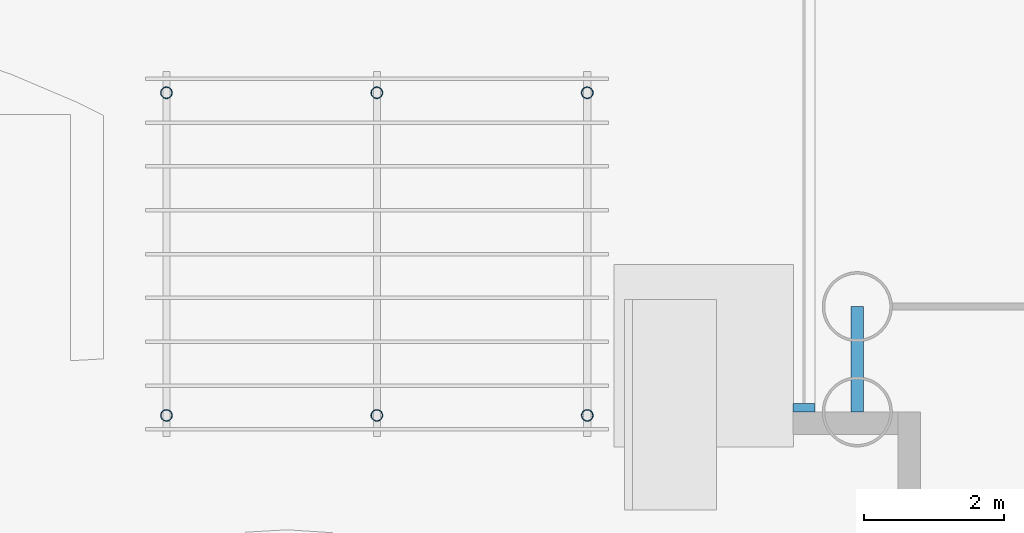
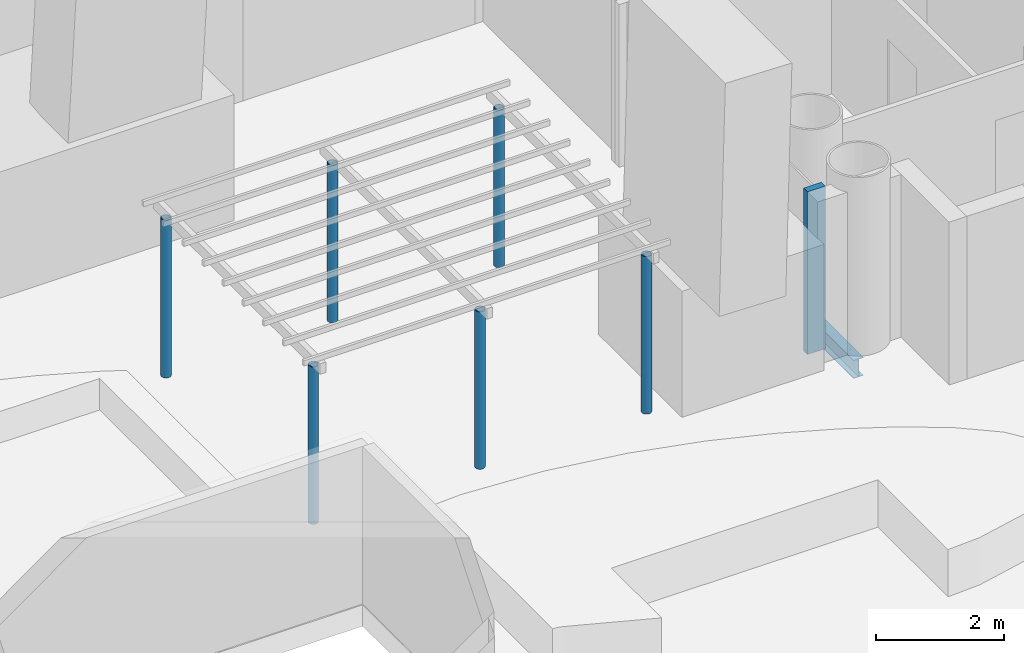
# One storey, part 4 of 40: 7 members, 1 beam, 1 element without a shape of its own.
"""IFC4 building model written with IfcOpenShell, lengths in metres."""

from ifc_helpers import new_model, si_unit, direction, frame, origin, origin_2d, place, context, subcontext, project, spatial, rectangle, hollow_circle, i_section, extrude, material, layer, layer_set, material_profile, profile_set, type_object, element, aggregate, save


model = new_model("IFC4")

# Units and contexts
model_context = context("Model", 3, precision=1e-05, world=origin(), true_north=direction((0.0, 1.0)))
body_context = subcontext(model_context, "Body", "Model", "MODEL_VIEW")
ifc_project = project(units=[si_unit("LENGTHUNIT", "METRE"), si_unit("AREAUNIT", "SQUARE_METRE"), si_unit("VOLUMEUNIT", "CUBIC_METRE"), si_unit("PLANEANGLEUNIT", "RADIAN"), si_unit("MASSUNIT", "GRAM", prefix="KILO")], contexts=[model_context])

# Site, building, storey
site_placement = place(None, origin())
site = spatial("IfcSite", under=ifc_project, at=site_placement, CompositionType="ELEMENT")
building_placement = place(site_placement, origin())
building = spatial("IfcBuilding", under=site, at=building_placement, Name="Ipe Terrace Towers", CompositionType="ELEMENT")
storey_placement = place(building_placement, frame((0.0, 0.0, 24.5)))
storey = spatial("IfcBuildingStorey", under=building, at=storey_placement, Name="L05", CompositionType="ELEMENT", Elevation=24.5)

# Beam
ifc_material_1 = material(Name="Steel S355", Category="steel")
ifc_material_profile_1 = material_profile(ifc_material_1, i_section(OverallWidth=0.175048828125, OverallDepth=0.35009765625, WebThickness=0.007080078125, FlangeThickness=0.010986328125, at=origin_2d()), Name="H-350x175x7x11")
ifc_profile_set_1 = profile_set([ifc_material_profile_1], Name="Steel S355")
beam_type = type_object("IfcBeamType", Name="H04 EDGE BEAM H-350x175x7x11", PredefinedType="BEAM", material=ifc_profile_set_1)
beam_placement = place(storey_placement, frame((-42.14990234375, -15.75, -0.574951171875), z_axis=(0.0, -1.0, 0.0), x_axis=(1.0, 0.0, 0.0)))
element("IfcBeam", 1, at=beam_placement, inside=storey, type_object=beam_type, Name="Edge beam T1-EB-D03-D05", PredefinedType="BEAM", context=body_context, shape_type="SweptSolid", body=[
    extrude(i_section(OverallWidth=0.175048828125, OverallDepth=0.35009765625, WebThickness=0.007080078125, FlangeThickness=0.010986328125, at=origin_2d()), origin(), (0.0, 0.0, 1.0), 1.5),
])

# Members
ifc_material_2 = material(Name="Steel S355", Category="steel")
ifc_material_profile_2 = material_profile(ifc_material_2, hollow_circle(Radius=0.083984375, WallThickness=0.008056640625, at=origin_2d()), Name="PERGOLA POST CHS 168")
ifc_profile_set_2 = profile_set([ifc_material_profile_2], Name="Steel S355")
member_type_1 = type_object("IfcMemberType", Name="PERGOLA POST CHS 168", PredefinedType="POST", material=ifc_profile_set_2)
for number, where, z_axis, x_axis, name in (
    (2, (-52.0, -17.300048828125, -0.02001953125), (0.0, 0.0, 1.0), (1.0, 0.0, 0.0), "pergola post"),
    (3, (-52.0, -12.699951171875, -0.02001953125), (0.0, 0.0, 1.0), (1.0, 0.0, 0.0), "pergola post"),
    (4, (-49.0, -17.300048828125, -0.02001953125), (0.0, 0.0, 1.0), (1.0, 0.0, 0.0), "pergola post"),
    (5, (-49.0, -12.699951171875, -0.02001953125), (0.0, 0.0, 1.0), (1.0, 0.0, 0.0), "pergola post"),
    (6, (-46.0, -17.300048828125, -0.02001953125), (0.0, 0.0, 1.0), (1.0, 0.0, 0.0), "pergola post"),
    (7, (-46.0, -12.699951171875, -0.02001953125), (0.0, 0.0, 1.0), (1.0, 0.0, 0.0), "pergola post"),
):
    element("IfcMember", number, at=place(storey_placement, frame(where, z_axis=z_axis, x_axis=x_axis)), inside=storey, type_object=member_type_1, Name=name, PredefinedType="POST", context=body_context, shape_type="SweptSolid", body=[
        extrude(hollow_circle(Radius=0.083984375, WallThickness=0.008056640625, at=origin_2d()), origin(), (0.0, 0.0, 1.0), 3.0),
    ])

# Curtain wall, member
ifc_material_3 = material(Name="Aluminium alloy 6063-T6", Category="aluminium")
ifc_layer = layer(ifc_material_3, 0.320068359375)
ifc_layer_set = layer_set([ifc_layer], Name="TOWER UNITISED CURTAIN WALL")
curtain_wall_type = type_object("IfcCurtainWallType", Name="TOWER UNITISED CURTAIN WALL", PredefinedType="NOTDEFINED", material=ifc_layer_set)
curtain_wall_placement = place(storey_placement, origin())
curtain_wall = element("IfcCurtainWall", 8, at=curtain_wall_placement, inside=storey, type_object=curtain_wall_type, Name="T1-CW-L05-07a curtain wall", PredefinedType="NOTDEFINED")
ifc_material_4 = material(Name="Aluminium alloy 6063-T6", Category="aluminium")
ifc_material_profile_3 = material_profile(ifc_material_4, rectangle(XDim=0.320068359375, YDim=0.1201171875, at=origin_2d()), Name="TOWER UNITISED CORNER MULLION 320 x 120")
ifc_profile_set_3 = profile_set([ifc_material_profile_3], Name="Aluminium alloy 6063-T6")
member_type_2 = type_object("IfcMemberType", Name="TOWER UNITISED CORNER MULLION 320 x 120", PredefinedType="MULLION", material=ifc_profile_set_3)
member_placement = place(storey_placement, frame((-42.909912109375, -17.18994140625, 0.0), z_axis=(0.0, 0.0, 1.0), x_axis=(-1.0, 0.0, 0.0)))
member = element("IfcMember", 9, at=member_placement, type_object=member_type_2, Name="T1-CW-L05-07a mullion 2", PredefinedType="MULLION", context=body_context, shape_type="SweptSolid", body=[
    extrude(rectangle(XDim=0.320068359375, YDim=0.1201171875, at=origin_2d()), origin(), (0.0, 0.0, 1.0), 3.10009765625),
])
aggregate(curtain_wall, [member])

save(model, "model.ifc")
